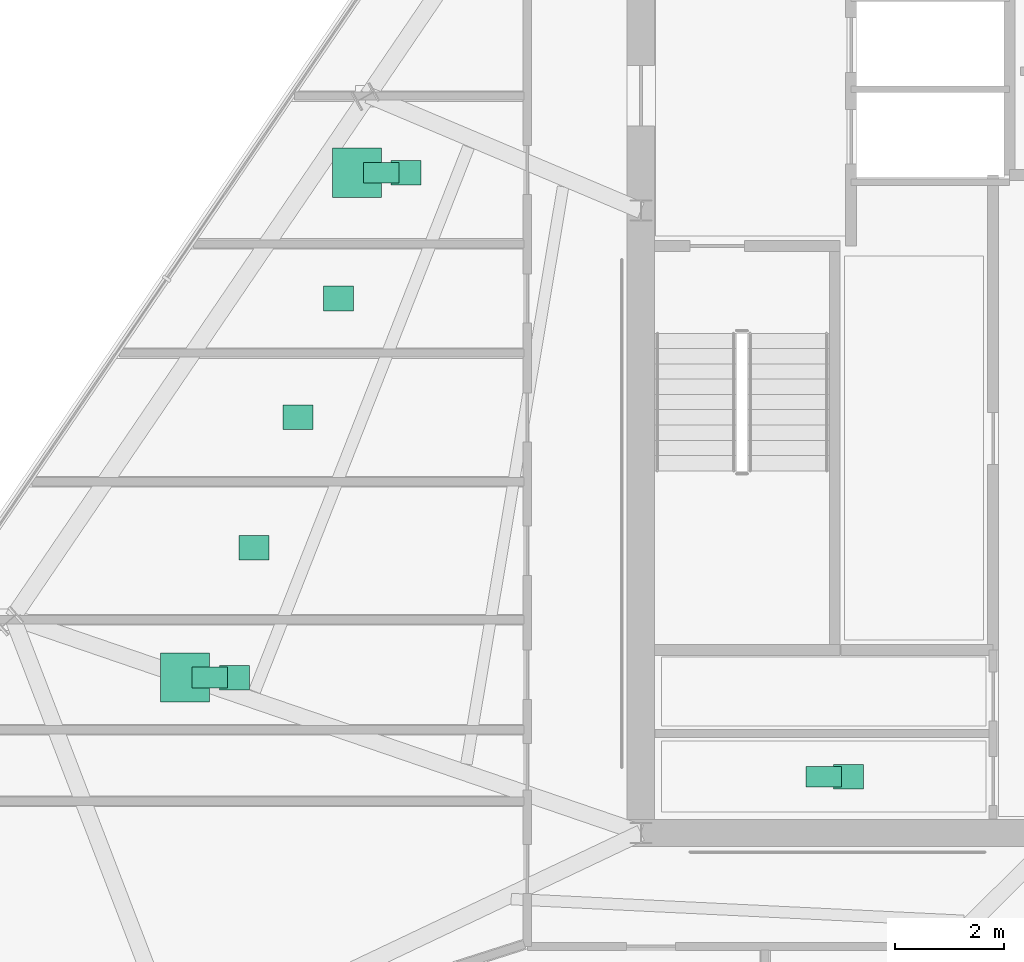
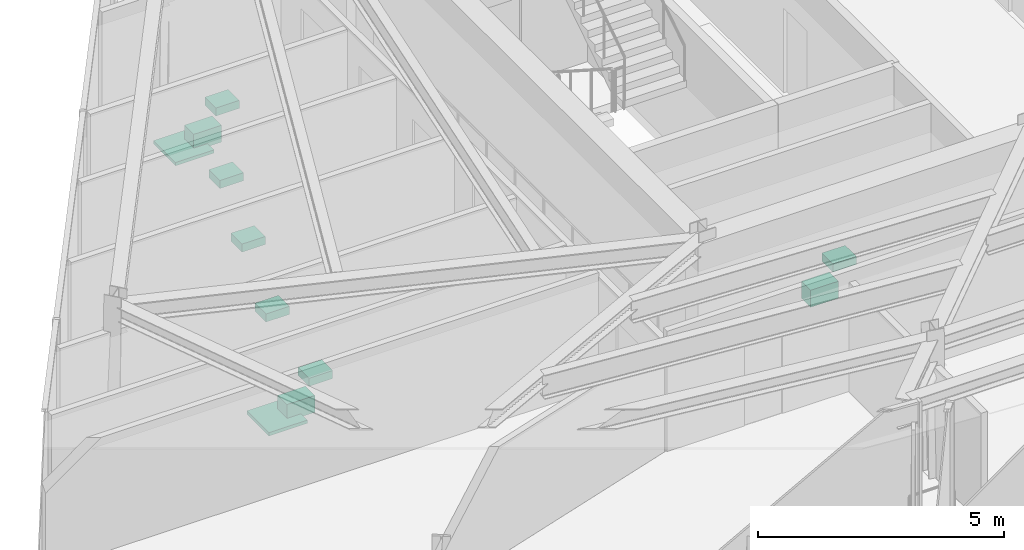
# One storey, part 14 of 14: 11 sanitary terminals.
"""IFC4 building model written with IfcOpenShell, lengths in metres."""

from ifc_helpers import new_model, si_unit, direction, frame, origin, origin_2d, place, context, subcontext, project, spatial, rectangle, extrude, material, type_object, element, save


model = new_model("IFC4")

# Units and contexts
model_context = context("Model", 3, precision=1e-05, world=origin(), true_north=direction((0.0, 1.0)))
body_context = subcontext(model_context, "Body", "Model", "MODEL_VIEW")
ifc_project = project(units=[si_unit("LENGTHUNIT", "METRE"), si_unit("AREAUNIT", "SQUARE_METRE"), si_unit("VOLUMEUNIT", "CUBIC_METRE"), si_unit("PLANEANGLEUNIT", "RADIAN"), si_unit("MASSUNIT", "GRAM", prefix="KILO")], contexts=[model_context])

# Site, building, storey
site_placement = place(None, origin())
site = spatial("IfcSite", under=ifc_project, at=site_placement, CompositionType="ELEMENT")
building_placement = place(site_placement, origin())
building = spatial("IfcBuilding", under=site, at=building_placement, Name="Savorim Split Tower", CompositionType="ELEMENT")
storey_placement = place(building_placement, frame((0.0, 0.0, 234.300048828125)))
storey = spatial("IfcBuildingStorey", under=building, at=storey_placement, Name="L62", CompositionType="ELEMENT", Elevation=234.300048828125)

# Sanitary terminals
ifc_material = material(Name="Vitreous China Sanitaryware")
sanitary_terminal_type_1 = type_object("IfcSanitaryTerminalType", Name="SAN-SHW-900", PredefinedType="SHOWER", material=ifc_material)
for number, where, z_axis, x_axis, name in (
    (1, (-16.0458984375, -6.55419921875, 0.0), (0.0, 0.0, 1.0), (1.0, 0.0, 0.0), "L62 Shared Bathroom Shower"),
    (2, (-12.9013671875, 2.690185546875, 0.0), (0.0, 0.0, 1.0), (1.0, 0.0, 0.0), "L62 Shared Bathroom Shower"),
):
    element("IfcSanitaryTerminal", number, at=place(storey_placement, frame(where, z_axis=z_axis, x_axis=x_axis)), inside=storey, type_object=sanitary_terminal_type_1, Name=name, PredefinedType="SHOWER", context=body_context, shape_type="SweptSolid", body=[
        extrude(rectangle(XDim=0.89990234375, YDim=0.89990234375, at=origin_2d()), origin(), (0.0, 0.0, 1.0), 0.080078125),
    ])
sanitary_terminal_type_2 = type_object("IfcSanitaryTerminalType", Name="SAN-WC-PAN", PredefinedType="TOILETPAN", material=ifc_material)
for number, where, z_axis, x_axis, name in (
    (3, (-4.35009765625, -8.3701171875, 0.0), (0.0, 0.0, 1.0), (1.0, 0.0, 0.0), "L62 Public WC WC Pan"),
    (4, (-15.595703125, -6.55419921875, 0.0), (0.0, 0.0, 1.0), (1.0, 0.0, 0.0), "L62 Shared Bathroom WC Pan"),
    (5, (-12.451416015625, 2.690185546875, 0.0), (0.0, 0.0, 1.0), (1.0, 0.0, 0.0), "L62 Shared Bathroom WC Pan"),
):
    element("IfcSanitaryTerminal", number, at=place(storey_placement, frame(where, z_axis=z_axis, x_axis=x_axis)), inside=storey, type_object=sanitary_terminal_type_2, Name=name, PredefinedType="TOILETPAN", context=body_context, shape_type="SweptSolid", body=[
        extrude(rectangle(XDim=0.64990234375, YDim=0.3798828125, at=origin_2d()), origin(), (0.0, 0.0, 1.0), 0.419921875),
    ])
sanitary_terminal_type_3 = type_object("IfcSanitaryTerminalType", Name="SAN-WHB-550", PredefinedType="WASHHANDBASIN", material=ifc_material)
for number, where, z_axis, x_axis, name in (
    (6, (-3.89990234375, -8.3701171875, 0.72021484375), (0.0, 0.0, 1.0), (1.0, 0.0, 0.0), "L62 Public WC Washhand Basin"),
    (7, (-13.23486328125, 0.386962890625, 0.75), (0.0, 0.0, 1.0), (1.0, 0.0, 0.0), "L62 Shared Kitchen Utility Sink"),
    (8, (-13.975341796875, -1.7900390625, 0.75), (0.0, 0.0, 1.0), (1.0, 0.0, 0.0), "L62 Community Laundry Room Utility Sink"),
    (9, (-14.78857421875, -4.180908203125, 0.75), (0.0, 0.0, 1.0), (1.0, 0.0, 0.0), "L62 Community Laundry Room Utility Sink"),
    (10, (-15.145751953125, -6.55419921875, 0.72021484375), (0.0, 0.0, 1.0), (1.0, 0.0, 0.0), "L62 Shared Bathroom Washhand Basin"),
    (11, (-12.00146484375, 2.690185546875, 0.72021484375), (0.0, 0.0, 1.0), (1.0, 0.0, 0.0), "L62 Shared Bathroom Washhand Basin"),
):
    element("IfcSanitaryTerminal", number, at=place(storey_placement, frame(where, z_axis=z_axis, x_axis=x_axis)), inside=storey, type_object=sanitary_terminal_type_3, Name=name, PredefinedType="WASHHANDBASIN", context=body_context, shape_type="SweptSolid", body=[
        extrude(rectangle(XDim=0.550048828125, YDim=0.449951171875, at=origin_2d()), origin(), (0.0, 0.0, 1.0), 0.199951171875),
    ])

save(model, "model.ifc")
